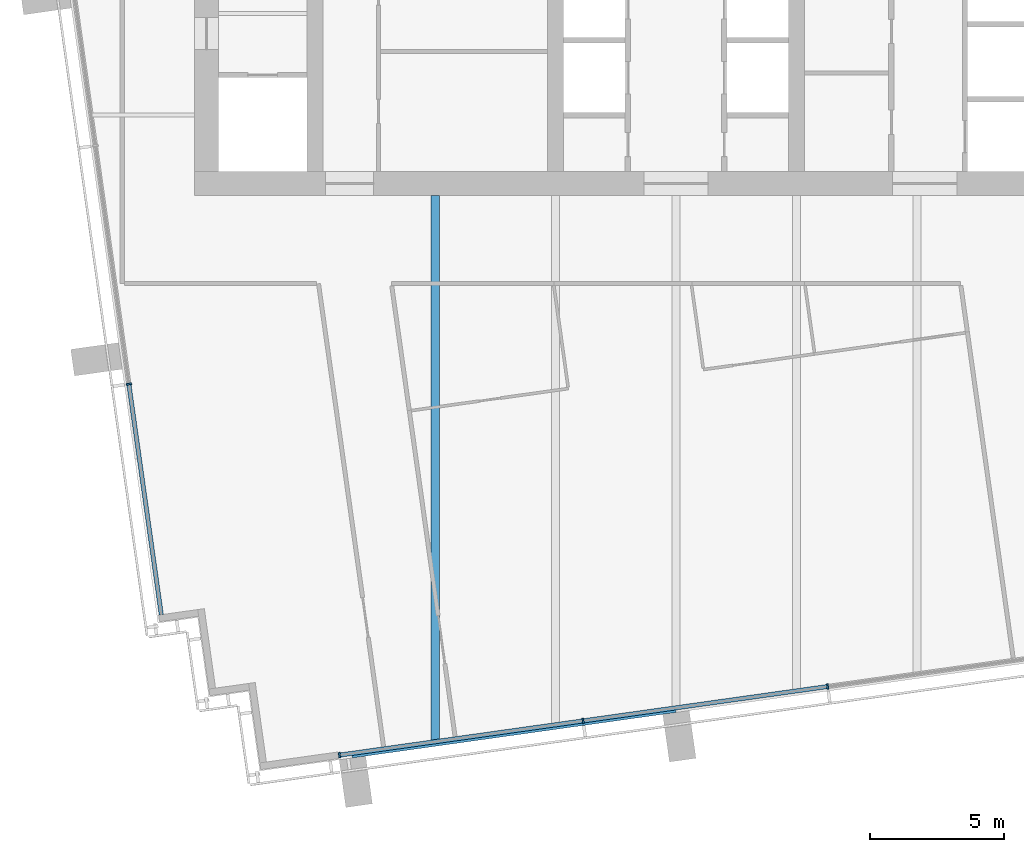
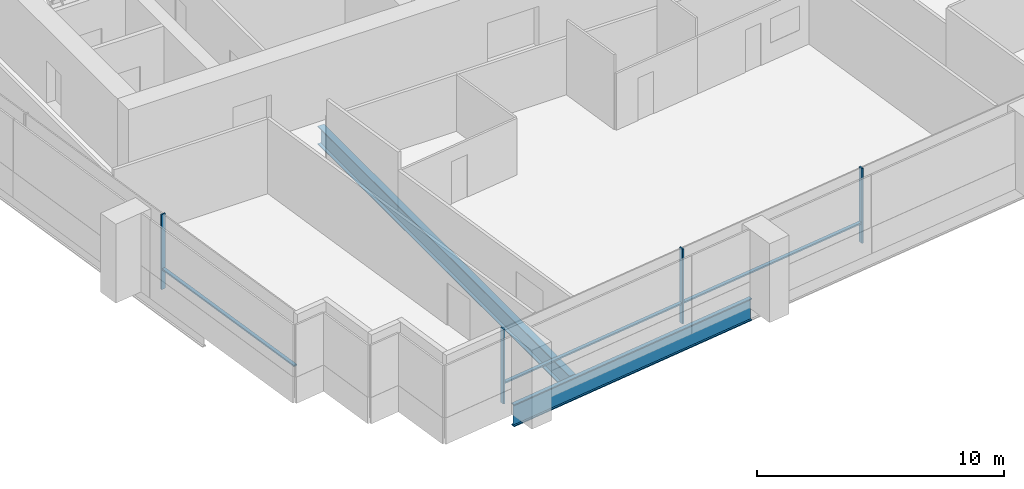
# One storey, part 2 of 17: 7 members, 2 beams, 2 elements without a shape of their own.
"""IFC4 building model written with IfcOpenShell, lengths in metres."""

from ifc_helpers import new_model, si_unit, direction, frame, origin, origin_2d, place, context, subcontext, project, spatial, rectangle, i_section, extrude, material, layer, layer_set, material_profile, profile_set, type_object, element, aggregate, save


model = new_model("IFC4")

# Units and contexts
model_context = context("Model", 3, precision=1e-05, world=origin(), true_north=direction((0.0, 1.0)))
body_context = subcontext(model_context, "Body", "Model", "MODEL_VIEW")
ifc_project = project(units=[si_unit("LENGTHUNIT", "METRE"), si_unit("AREAUNIT", "SQUARE_METRE"), si_unit("VOLUMEUNIT", "CUBIC_METRE"), si_unit("PLANEANGLEUNIT", "RADIAN"), si_unit("MASSUNIT", "GRAM", prefix="KILO")], contexts=[model_context])

# Site, building, storey
site_placement = place(None, origin())
site = spatial("IfcSite", under=ifc_project, at=site_placement, CompositionType="ELEMENT")
building_placement = place(site_placement, origin())
building = spatial("IfcBuilding", under=site, at=building_placement, Name="Rattan Terrace Tower", CompositionType="ELEMENT")
storey_placement = place(building_placement, frame((0.0, 0.0, 221.300048828125)))
storey = spatial("IfcBuildingStorey", under=building, at=storey_placement, Name="L50", CompositionType="ELEMENT", Elevation=221.300048828125)

# Beams
ifc_material_1 = material(Name="Steel S460", Category="steel")
ifc_material_profile_1 = material_profile(ifc_material_1, i_section(OverallWidth=0.179931640625, OverallDepth=1.10009765625, WebThickness=0.01611328125, FlangeThickness=0.050048828125, at=origin_2d()), Name="PG 1100x180-16-50")
ifc_profile_set_1 = profile_set([ifc_material_profile_1], Name="Steel S460")
beam_type_1 = type_object("IfcBeamType", Name="Frame edge girder PG 1100x180-16-50", PredefinedType="SPANDREL", material=ifc_profile_set_1)
beam_1_placement = place(storey_placement, frame((-12.10888671875, -28.43603515625, -0.75), z_axis=(0.990268332234, 0.139171226104, 0.0), x_axis=(-0.139171226104, 0.990268332234, 0.0)))
element("IfcBeam", 1, at=beam_1_placement, inside=storey, type_object=beam_type_1, Name="gdr-L50-001", PredefinedType="SPANDREL", context=body_context, shape_type="SweptSolid", body=[
    extrude(i_section(OverallWidth=0.179931640625, OverallDepth=1.10009765625, WebThickness=0.01611328125, FlangeThickness=0.050048828125, at=origin_2d()), origin(), (0.0, 0.0, 1.0), 12.21484375),
])
ifc_material_2 = material(Name="Steel S460", Category="steel")
ifc_material_profile_2 = material_profile(ifc_material_2, i_section(OverallWidth=0.300048828125, OverallDepth=0.89990234375, WebThickness=0.013916015625, FlangeThickness=0.035888671875, at=origin_2d()), Name="PG 900x300-14-36")
ifc_profile_set_2 = profile_set([ifc_material_profile_2], Name="Steel S460")
beam_type_2 = type_object("IfcBeamType", Name="Frame floor beam PG 900x300-14-36", PredefinedType="JOIST", material=ifc_profile_set_2)
beam_2_placement = place(storey_placement, frame((-9.0, -27.886962890625, -0.650146484375), z_axis=(0.0, 1.0, 0.0), x_axis=(-1.0, 0.0, 0.0)))
element("IfcBeam", 2, at=beam_2_placement, inside=storey, type_object=beam_type_2, Name="bm-L50-003", PredefinedType="JOIST", context=body_context, shape_type="SweptSolid", body=[
    extrude(i_section(OverallWidth=0.300048828125, OverallDepth=0.89990234375, WebThickness=0.013916015625, FlangeThickness=0.035888671875, at=origin_2d()), origin(), (0.0, 0.0, 1.0), 20.386962890625),
])

# Curtain wall, member
ifc_material_3 = material(Name="Aluminium and laminated glass", Category="aluminium")
ifc_layer = layer(ifc_material_3, 0.199951171875)
ifc_layer_set = layer_set([ifc_layer], Name="High-Zone Unitised Curtain Wall")
curtain_wall_type = type_object("IfcCurtainWallType", Name="High-Zone Unitised Curtain Wall", PredefinedType="NOTDEFINED", material=ifc_layer_set)
curtain_wall_1_placement = place(storey_placement, origin())
curtain_wall_1 = element("IfcCurtainWall", 3, at=curtain_wall_1_placement, inside=storey, type_object=curtain_wall_type, Name="High-zone curtain wall L50-3", PredefinedType="NOTDEFINED")
ifc_material_4 = material(Name="Aluminium", Category="aluminium")
ifc_material_profile_3 = material_profile(ifc_material_4, rectangle(XDim=0.070068359375, YDim=0.199951171875, at=origin_2d()), Name="Aluminium 70x200")
ifc_profile_set_3 = profile_set([ifc_material_profile_3], Name="Aluminium")
member_type_1 = type_object("IfcMemberType", Name="High-Zone CW Mullion 70x200", PredefinedType="MULLION", material=ifc_profile_set_3)
member_1_placement = place(storey_placement, frame((-20.452392578125, -14.551025390625, 0.0), z_axis=(0.0, 0.0, 1.0), x_axis=(0.139186165309, -0.990266232579, 0.0)))
member_1 = element("IfcMember", 4, at=member_1_placement, type_object=member_type_1, Name="Mullion cwl-L50-003.3", PredefinedType="MULLION", context=body_context, shape_type="SweptSolid", body=[
    extrude(rectangle(XDim=0.070068359375, YDim=0.199951171875, at=origin_2d()), origin(), (0.0, 0.0, 1.0), 3.699951171875),
])

# Curtain wall, members
curtain_wall_2_placement = place(storey_placement, origin())
curtain_wall_2 = element("IfcCurtainWall", 5, at=curtain_wall_2_placement, inside=storey, type_object=curtain_wall_type, Name="High-zone curtain wall L50-4", PredefinedType="NOTDEFINED")
member_2_placement = place(storey_placement, frame((-12.580078125, -28.4208984375, 0.0), z_axis=(0.0, 0.0, 1.0), x_axis=(0.990267457022, 0.139177453499, 0.0)))
member_2 = element("IfcMember", 6, at=member_2_placement, type_object=member_type_1, Name="Mullion cwl-L50-004.1", PredefinedType="MULLION", context=body_context, shape_type="SweptSolid", body=[
    extrude(rectangle(XDim=0.070068359375, YDim=0.199951171875, at=origin_2d()), origin(), (0.0, 0.0, 1.0), 3.699951171875),
])
member_3_placement = place(storey_placement, frame((-3.473388671875, -27.140869140625, 0.0), z_axis=(0.0, 0.0, 1.0), x_axis=(0.990267457022, 0.139177453499, 0.0)))
member_3 = element("IfcMember", 7, at=member_3_placement, type_object=member_type_1, Name="Mullion cwl-L50-004.2", PredefinedType="MULLION", context=body_context, shape_type="SweptSolid", body=[
    extrude(rectangle(XDim=0.070068359375, YDim=0.199951171875, at=origin_2d()), origin(), (0.0, 0.0, 1.0), 3.699951171875),
])
member_4_placement = place(storey_placement, frame((5.667724609375, -25.856201171875, 0.0), z_axis=(0.0, 0.0, 1.0), x_axis=(0.990267457022, 0.139177453499, 0.0)))
member_4 = element("IfcMember", 8, at=member_4_placement, type_object=member_type_1, Name="Mullion cwl-L50-004.3", PredefinedType="MULLION", context=body_context, shape_type="SweptSolid", body=[
    extrude(rectangle(XDim=0.070068359375, YDim=0.199951171875, at=origin_2d()), origin(), (0.0, 0.0, 1.0), 3.699951171875),
])

# Member
ifc_material_5 = material(Name="Aluminium", Category="aluminium")
ifc_material_profile_4 = material_profile(ifc_material_5, rectangle(XDim=0.159912109375, YDim=0.070068359375, at=origin_2d()), Name="Aluminium 160x70")
ifc_profile_set_4 = profile_set([ifc_material_profile_4], Name="Aluminium")
member_type_2 = type_object("IfcMemberType", Name="High-Zone CW Transom 160x70", PredefinedType="USERDEFINED", material=ifc_profile_set_4)
member_5_placement = place(storey_placement, frame((-20.447509765625, -14.585693359375, 1.0), z_axis=(0.139193563319, -0.990265192729, 0.0), x_axis=(0.990265192729, 0.139193563319, 0.0)))
member_5 = element("IfcMember", 9, at=member_5_placement, type_object=member_type_2, Name="Transom cwl-L50-003.3", ObjectType="TRANSOM", PredefinedType="USERDEFINED", context=body_context, shape_type="SweptSolid", body=[
    extrude(rectangle(XDim=0.159912109375, YDim=0.070068359375, at=origin_2d()), origin(), (0.0, 0.0, 1.0), 8.669921875),
])

aggregate(curtain_wall_1, [member_1, member_5])

member_6_placement = place(storey_placement, frame((-12.54541015625, -28.416015625, 1.0), z_axis=(0.990265856778, 0.139188838988, 0.0), x_axis=(-0.139188838988, 0.990265856778, 0.0)))
member_6 = element("IfcMember", 10, at=member_6_placement, type_object=member_type_2, Name="Transom cwl-L50-004.1", ObjectType="TRANSOM", PredefinedType="USERDEFINED", context=body_context, shape_type="SweptSolid", body=[
    extrude(rectangle(XDim=0.159912109375, YDim=0.070068359375, at=origin_2d()), origin(), (0.0, 0.0, 1.0), 9.126220703125),
])

member_7_placement = place(storey_placement, frame((-3.438720703125, -27.135986328125, 1.0), z_axis=(0.990268863305, 0.13916744723, 0.0), x_axis=(-0.13916744723, 0.990268863305, 0.0)))
member_7 = element("IfcMember", 11, at=member_7_placement, type_object=member_type_2, Name="Transom cwl-L50-004.2", ObjectType="TRANSOM", PredefinedType="USERDEFINED", context=body_context, shape_type="SweptSolid", body=[
    extrude(rectangle(XDim=0.159912109375, YDim=0.070068359375, at=origin_2d()), origin(), (0.0, 0.0, 1.0), 9.160888671875),
])

aggregate(curtain_wall_2, [member_2, member_3, member_4, member_6, member_7])

save(model, "model.ifc")
